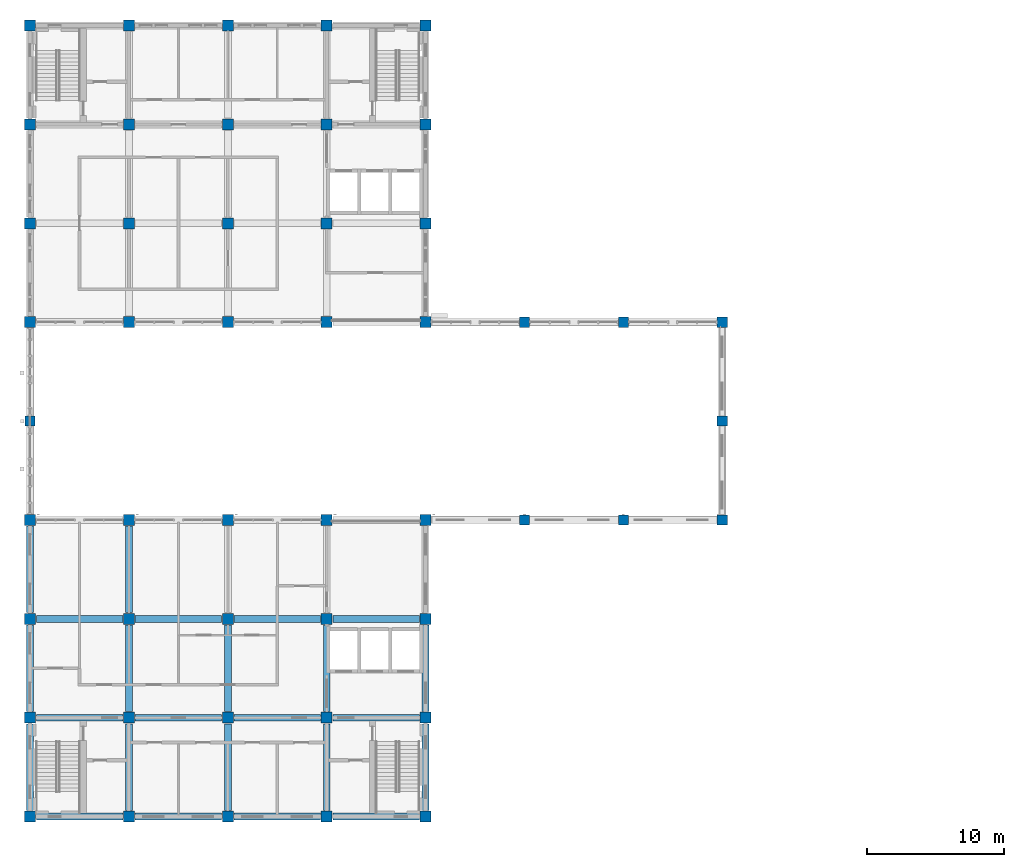
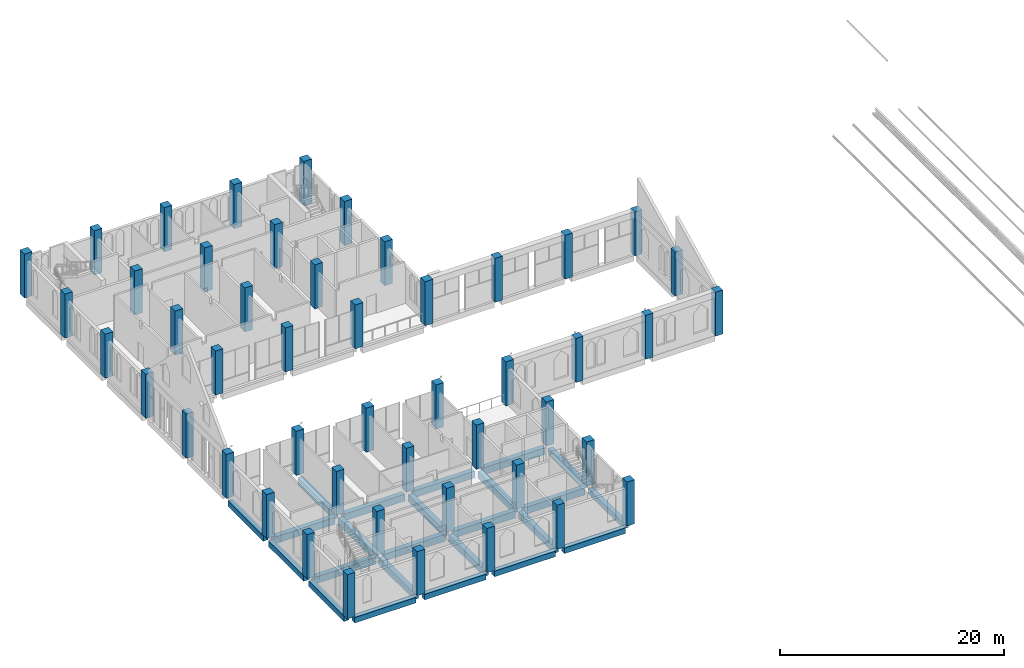
# One storey, part 1 of 31: 48 columns, 24 beams.
"""IFC4 building model written with IfcOpenShell, lengths in metres."""

from ifc_helpers import new_model, si_unit, direction, frame, origin, origin_2d, place, context, subcontext, project, spatial, rectangle, extrude, material, material_profile, profile_set, type_object, element, save


model = new_model("IFC4")

# Units and contexts
model_context = context("Model", 3, precision=1e-05, world=origin(), true_north=direction((0.0, 1.0)))
body_context = subcontext(model_context, "Body", "Model", "MODEL_VIEW")
ifc_project = project(units=[si_unit("LENGTHUNIT", "METRE"), si_unit("AREAUNIT", "SQUARE_METRE"), si_unit("VOLUMEUNIT", "CUBIC_METRE"), si_unit("PLANEANGLEUNIT", "RADIAN"), si_unit("MASSUNIT", "GRAM", prefix="KILO")], contexts=[model_context])

# Site, building, storey
site_placement = place(None, origin())
site = spatial("IfcSite", under=ifc_project, at=site_placement, CompositionType="ELEMENT")
building_placement = place(site_placement, origin())
building = spatial("IfcBuilding", under=site, at=building_placement, Name="Silangan Lancet Faculty of Sciences", CompositionType="ELEMENT")
storey_placement = place(building_placement, frame((0.0, 0.0, 36.0)))
storey = spatial("IfcBuildingStorey", under=building, at=storey_placement, Name="L07", CompositionType="ELEMENT", Elevation=36.0)

# Columns
ifc_material_1 = material(Name="Concrete C40/50", Category="concrete")
ifc_material_profile_1 = material_profile(ifc_material_1, rectangle(XDim=0.75, YDim=0.75, at=origin_2d()), Name="RC 750x750")
ifc_profile_set_1 = profile_set([ifc_material_profile_1], Name="Concrete C40/50")
column_type_1 = type_object("IfcColumnType", Name="COLUMN RC 750x750", PredefinedType="COLUMN", material=ifc_profile_set_1)
for number, where, z_axis, x_axis, name in (
    (1, (0.0, 28.800048828125, 0.0), (0.0, 0.0, 1.0), (1.0, 0.0, 0.0), "COL-L07-1E"),
    (2, (36.0, 21.60009765625, 0.0), (0.0, 0.0, 1.0), (1.0, 0.0, 0.0), "COL-L07-6D"),
    (3, (36.0, 36.0, 0.0), (0.0, 0.0, 1.0), (1.0, 0.0, 0.0), "COL-L07-6F"),
    (4, (43.199951171875, 21.60009765625, 0.0), (0.0, 0.0, 1.0), (1.0, 0.0, 0.0), "COL-L07-7D"),
    (5, (43.199951171875, 36.0, 0.0), (0.0, 0.0, 1.0), (1.0, 0.0, 0.0), "COL-L07-7F"),
    (6, (50.39990234375, 21.60009765625, 0.0), (0.0, 0.0, 1.0), (1.0, 0.0, 0.0), "COL-L07-8D"),
    (7, (50.39990234375, 28.800048828125, 0.0), (0.0, 0.0, 1.0), (1.0, 0.0, 0.0), "COL-L07-8E"),
    (8, (50.39990234375, 36.0, 0.0), (0.0, 0.0, 1.0), (1.0, 0.0, 0.0), "COL-L07-8F"),
):
    element("IfcColumn", number, at=place(storey_placement, frame(where, z_axis=z_axis, x_axis=x_axis)), inside=storey, type_object=column_type_1, Name=name, PredefinedType="COLUMN", context=body_context, shape_type="SweptSolid", body=[
        extrude(rectangle(XDim=0.75, YDim=0.75, at=origin_2d()), origin(), (0.0, 0.0, 1.0), 4.800048828125),
    ])
ifc_material_2 = material(Name="Concrete C40/50", Category="concrete")
ifc_material_profile_2 = material_profile(ifc_material_2, rectangle(XDim=0.800048828125, YDim=0.800048828125, at=origin_2d()), Name="RC 800x800")
ifc_profile_set_2 = profile_set([ifc_material_profile_2], Name="Concrete C40/50")
column_type_2 = type_object("IfcColumnType", Name="COLUMN RC 800x800", PredefinedType="COLUMN", material=ifc_profile_set_2)
for number, where, z_axis, x_axis, name in (
    (9, (0.0, 0.0, 0.0), (0.0, 0.0, 1.0), (1.0, 0.0, 0.0), "COL-L07-1A"),
    (10, (0.0, 7.199951171875, 0.0), (0.0, 0.0, 1.0), (1.0, 0.0, 0.0), "COL-L07-1B"),
    (11, (0.0, 14.39990234375, 0.0), (0.0, 0.0, 1.0), (1.0, 0.0, 0.0), "COL-L07-1C"),
    (12, (0.0, 21.60009765625, 0.0), (0.0, 0.0, 1.0), (1.0, 0.0, 0.0), "COL-L07-1D"),
    (13, (0.0, 36.0, 0.0), (0.0, 0.0, 1.0), (1.0, 0.0, 0.0), "COL-L07-1F"),
    (14, (0.0, 43.199951171875, 0.0), (0.0, 0.0, 1.0), (1.0, 0.0, 0.0), "COL-L07-1G"),
    (15, (0.0, 50.39990234375, 0.0), (0.0, 0.0, 1.0), (1.0, 0.0, 0.0), "COL-L07-1H"),
    (16, (0.0, 57.60009765625, 0.0), (0.0, 0.0, 1.0), (1.0, 0.0, 0.0), "COL-L07-1I"),
    (17, (7.199951171875, 0.0, 0.0), (0.0, 0.0, 1.0), (1.0, 0.0, 0.0), "COL-L07-2A"),
    (18, (7.199951171875, 7.199951171875, 0.0), (0.0, 0.0, 1.0), (1.0, 0.0, 0.0), "COL-L07-2B"),
    (19, (7.199951171875, 14.39990234375, 0.0), (0.0, 0.0, 1.0), (1.0, 0.0, 0.0), "COL-L07-2C"),
    (20, (7.199951171875, 21.60009765625, 0.0), (0.0, 0.0, 1.0), (1.0, 0.0, 0.0), "COL-L07-2D"),
    (21, (7.199951171875, 36.0, 0.0), (0.0, 0.0, 1.0), (1.0, 0.0, 0.0), "COL-L07-2F"),
    (22, (7.199951171875, 43.199951171875, 0.0), (0.0, 0.0, 1.0), (1.0, 0.0, 0.0), "COL-L07-2G"),
    (23, (7.199951171875, 50.39990234375, 0.0), (0.0, 0.0, 1.0), (1.0, 0.0, 0.0), "COL-L07-2H"),
    (24, (7.199951171875, 57.60009765625, 0.0), (0.0, 0.0, 1.0), (1.0, 0.0, 0.0), "COL-L07-2I"),
    (25, (14.39990234375, 0.0, 0.0), (0.0, 0.0, 1.0), (1.0, 0.0, 0.0), "COL-L07-3A"),
    (26, (14.39990234375, 7.199951171875, 0.0), (0.0, 0.0, 1.0), (1.0, 0.0, 0.0), "COL-L07-3B"),
    (27, (14.39990234375, 14.39990234375, 0.0), (0.0, 0.0, 1.0), (1.0, 0.0, 0.0), "COL-L07-3C"),
    (28, (14.39990234375, 21.60009765625, 0.0), (0.0, 0.0, 1.0), (1.0, 0.0, 0.0), "COL-L07-3D"),
    (29, (14.39990234375, 36.0, 0.0), (0.0, 0.0, 1.0), (1.0, 0.0, 0.0), "COL-L07-3F"),
    (30, (14.39990234375, 43.199951171875, 0.0), (0.0, 0.0, 1.0), (1.0, 0.0, 0.0), "COL-L07-3G"),
    (31, (14.39990234375, 50.39990234375, 0.0), (0.0, 0.0, 1.0), (1.0, 0.0, 0.0), "COL-L07-3H"),
    (32, (14.39990234375, 57.60009765625, 0.0), (0.0, 0.0, 1.0), (1.0, 0.0, 0.0), "COL-L07-3I"),
    (33, (21.60009765625, 0.0, 0.0), (0.0, 0.0, 1.0), (1.0, 0.0, 0.0), "COL-L07-4A"),
    (34, (21.60009765625, 7.199951171875, 0.0), (0.0, 0.0, 1.0), (1.0, 0.0, 0.0), "COL-L07-4B"),
    (35, (21.60009765625, 14.39990234375, 0.0), (0.0, 0.0, 1.0), (1.0, 0.0, 0.0), "COL-L07-4C"),
    (36, (21.60009765625, 21.60009765625, 0.0), (0.0, 0.0, 1.0), (1.0, 0.0, 0.0), "COL-L07-4D"),
    (37, (21.60009765625, 36.0, 0.0), (0.0, 0.0, 1.0), (1.0, 0.0, 0.0), "COL-L07-4F"),
    (38, (21.60009765625, 43.199951171875, 0.0), (0.0, 0.0, 1.0), (1.0, 0.0, 0.0), "COL-L07-4G"),
    (39, (21.60009765625, 50.39990234375, 0.0), (0.0, 0.0, 1.0), (1.0, 0.0, 0.0), "COL-L07-4H"),
    (40, (21.60009765625, 57.60009765625, 0.0), (0.0, 0.0, 1.0), (1.0, 0.0, 0.0), "COL-L07-4I"),
    (41, (28.800048828125, 0.0, 0.0), (0.0, 0.0, 1.0), (1.0, 0.0, 0.0), "COL-L07-5A"),
    (42, (28.800048828125, 7.199951171875, 0.0), (0.0, 0.0, 1.0), (1.0, 0.0, 0.0), "COL-L07-5B"),
    (43, (28.800048828125, 14.39990234375, 0.0), (0.0, 0.0, 1.0), (1.0, 0.0, 0.0), "COL-L07-5C"),
    (44, (28.800048828125, 21.60009765625, 0.0), (0.0, 0.0, 1.0), (1.0, 0.0, 0.0), "COL-L07-5D"),
    (45, (28.800048828125, 36.0, 0.0), (0.0, 0.0, 1.0), (1.0, 0.0, 0.0), "COL-L07-5F"),
    (46, (28.800048828125, 43.199951171875, 0.0), (0.0, 0.0, 1.0), (1.0, 0.0, 0.0), "COL-L07-5G"),
    (47, (28.800048828125, 50.39990234375, 0.0), (0.0, 0.0, 1.0), (1.0, 0.0, 0.0), "COL-L07-5H"),
    (48, (28.800048828125, 57.60009765625, 0.0), (0.0, 0.0, 1.0), (1.0, 0.0, 0.0), "COL-L07-5I"),
):
    element("IfcColumn", number, at=place(storey_placement, frame(where, z_axis=z_axis, x_axis=x_axis)), inside=storey, type_object=column_type_2, Name=name, PredefinedType="COLUMN", context=body_context, shape_type="SweptSolid", body=[
        extrude(rectangle(XDim=0.800048828125, YDim=0.800048828125, at=origin_2d()), origin(), (0.0, 0.0, 1.0), 4.800048828125),
    ])

# Beams
ifc_material_3 = material(Name="Concrete C40/50", Category="concrete")
ifc_material_profile_3 = material_profile(ifc_material_3, rectangle(XDim=0.5, YDim=0.60009765625, at=origin_2d()), Name="RC 500x600")
ifc_profile_set_3 = profile_set([ifc_material_profile_3], Name="Concrete C40/50")
beam_type_1 = type_object("IfcBeamType", Name="BEAM RC 500x600", PredefinedType="BEAM", material=ifc_profile_set_3)
for number, where, z_axis, x_axis, name in (
    (49, (0.449951171875, 0.0, -0.550048828125), (1.0, 0.0, 0.0), (0.0, 1.0, 0.0), "BM-L07-1A-2A"),
    (50, (7.64990234375, 0.0, -0.550048828125), (1.0, 0.0, 0.0), (0.0, 1.0, 0.0), "BM-L07-2A-3A"),
):
    element("IfcBeam", number, at=place(storey_placement, frame(where, z_axis=z_axis, x_axis=x_axis)), inside=storey, type_object=beam_type_1, Name=name, PredefinedType="BEAM", context=body_context, shape_type="SweptSolid", body=[
        extrude(rectangle(XDim=0.5, YDim=0.60009765625, at=origin_2d()), origin(), (0.0, 0.0, 1.0), 6.300048828125),
    ])
beam_1_placement = place(storey_placement, frame((14.85009765625, 0.0, -0.550048828125), z_axis=(1.0, 0.0, 0.0), x_axis=(0.0, 1.0, 0.0)))
element("IfcBeam", 51, at=beam_1_placement, inside=storey, type_object=beam_type_1, Name="BM-L07-3A-4A", PredefinedType="BEAM", context=body_context, shape_type="SweptSolid", body=[
    extrude(rectangle(XDim=0.5, YDim=0.60009765625, at=origin_2d()), origin(), (0.0, 0.0, 1.0), 6.2998046875),
])
for number, where, z_axis, x_axis, name in (
    (52, (22.050048828125, 0.0, -0.550048828125), (1.0, 0.0, 0.0), (0.0, 1.0, 0.0), "BM-L07-4A-5A"),
    (53, (0.0, 0.449951171875, -0.550048828125), (0.0, 1.0, 0.0), (-1.0, 0.0, 0.0), "BM-L07-1A-1B"),
    (54, (0.0, 7.64990234375, -0.550048828125), (0.0, 1.0, 0.0), (-1.0, 0.0, 0.0), "BM-L07-1B-1C"),
):
    element("IfcBeam", number, at=place(storey_placement, frame(where, z_axis=z_axis, x_axis=x_axis)), inside=storey, type_object=beam_type_1, Name=name, PredefinedType="BEAM", context=body_context, shape_type="SweptSolid", body=[
        extrude(rectangle(XDim=0.5, YDim=0.60009765625, at=origin_2d()), origin(), (0.0, 0.0, 1.0), 6.300048828125),
    ])
beam_2_placement = place(storey_placement, frame((0.0, 14.85009765625, -0.550048828125), z_axis=(0.0, 1.0, 0.0), x_axis=(-1.0, 0.0, 0.0)))
element("IfcBeam", 55, at=beam_2_placement, inside=storey, type_object=beam_type_1, Name="BM-L07-1C-1D", PredefinedType="BEAM", context=body_context, shape_type="SweptSolid", body=[
    extrude(rectangle(XDim=0.5, YDim=0.60009765625, at=origin_2d()), origin(), (0.0, 0.0, 1.0), 6.2998046875),
])
for number, where, z_axis, x_axis, name in (
    (56, (28.800048828125, 0.449951171875, -0.550048828125), (0.0, 1.0, 0.0), (-1.0, 0.0, 0.0), "BM-L07-5A-5B"),
    (57, (28.800048828125, 7.64990234375, -0.550048828125), (0.0, 1.0, 0.0), (-1.0, 0.0, 0.0), "BM-L07-5B-5C"),
):
    element("IfcBeam", number, at=place(storey_placement, frame(where, z_axis=z_axis, x_axis=x_axis)), inside=storey, type_object=beam_type_1, Name=name, PredefinedType="BEAM", context=body_context, shape_type="SweptSolid", body=[
        extrude(rectangle(XDim=0.5, YDim=0.60009765625, at=origin_2d()), origin(), (0.0, 0.0, 1.0), 6.300048828125),
    ])
ifc_material_4 = material(Name="Concrete C40/50", Category="concrete")
ifc_material_profile_4 = material_profile(ifc_material_4, rectangle(XDim=0.5, YDim=0.75, at=origin_2d()), Name="RC 500x750")
ifc_profile_set_4 = profile_set([ifc_material_profile_4], Name="Concrete C40/50")
beam_type_2 = type_object("IfcBeamType", Name="BEAM RC 500x750", PredefinedType="BEAM", material=ifc_profile_set_4)
for number, where, z_axis, x_axis, name in (
    (58, (0.449951171875, 7.199951171875, -0.625), (1.0, 0.0, 0.0), (0.0, 1.0, 0.0), "BM-L07-1B-2B"),
    (59, (7.64990234375, 7.199951171875, -0.625), (1.0, 0.0, 0.0), (0.0, 1.0, 0.0), "BM-L07-2B-3B"),
):
    element("IfcBeam", number, at=place(storey_placement, frame(where, z_axis=z_axis, x_axis=x_axis)), inside=storey, type_object=beam_type_2, Name=name, PredefinedType="BEAM", context=body_context, shape_type="SweptSolid", body=[
        extrude(rectangle(XDim=0.5, YDim=0.75, at=origin_2d()), origin(), (0.0, 0.0, 1.0), 6.300048828125),
    ])
beam_3_placement = place(storey_placement, frame((14.85009765625, 7.199951171875, -0.625), z_axis=(1.0, 0.0, 0.0), x_axis=(0.0, 1.0, 0.0)))
element("IfcBeam", 60, at=beam_3_placement, inside=storey, type_object=beam_type_2, Name="BM-L07-3B-4B", PredefinedType="BEAM", context=body_context, shape_type="SweptSolid", body=[
    extrude(rectangle(XDim=0.5, YDim=0.75, at=origin_2d()), origin(), (0.0, 0.0, 1.0), 6.2998046875),
])
for number, where, z_axis, x_axis, name in (
    (61, (22.050048828125, 7.199951171875, -0.625), (1.0, 0.0, 0.0), (0.0, 1.0, 0.0), "BM-L07-4B-5B"),
    (62, (0.449951171875, 14.39990234375, -0.625), (1.0, 0.0, 0.0), (0.0, 1.0, 0.0), "BM-L07-1C-2C"),
    (63, (7.64990234375, 14.39990234375, -0.625), (1.0, 0.0, 0.0), (0.0, 1.0, 0.0), "BM-L07-2C-3C"),
):
    element("IfcBeam", number, at=place(storey_placement, frame(where, z_axis=z_axis, x_axis=x_axis)), inside=storey, type_object=beam_type_2, Name=name, PredefinedType="BEAM", context=body_context, shape_type="SweptSolid", body=[
        extrude(rectangle(XDim=0.5, YDim=0.75, at=origin_2d()), origin(), (0.0, 0.0, 1.0), 6.300048828125),
    ])
beam_4_placement = place(storey_placement, frame((14.85009765625, 14.39990234375, -0.625), z_axis=(1.0, 0.0, 0.0), x_axis=(0.0, 1.0, 0.0)))
element("IfcBeam", 64, at=beam_4_placement, inside=storey, type_object=beam_type_2, Name="BM-L07-3C-4C", PredefinedType="BEAM", context=body_context, shape_type="SweptSolid", body=[
    extrude(rectangle(XDim=0.5, YDim=0.75, at=origin_2d()), origin(), (0.0, 0.0, 1.0), 6.2998046875),
])
for number, where, z_axis, x_axis, name in (
    (65, (22.050048828125, 14.39990234375, -0.625), (1.0, 0.0, 0.0), (0.0, 1.0, 0.0), "BM-L07-4C-5C"),
    (66, (7.199951171875, 0.449951171875, -0.625), (0.0, 1.0, 0.0), (-1.0, 0.0, 0.0), "BM-L07-2A-2B"),
    (67, (7.199951171875, 7.64990234375, -0.625), (0.0, 1.0, 0.0), (-1.0, 0.0, 0.0), "BM-L07-2B-2C"),
):
    element("IfcBeam", number, at=place(storey_placement, frame(where, z_axis=z_axis, x_axis=x_axis)), inside=storey, type_object=beam_type_2, Name=name, PredefinedType="BEAM", context=body_context, shape_type="SweptSolid", body=[
        extrude(rectangle(XDim=0.5, YDim=0.75, at=origin_2d()), origin(), (0.0, 0.0, 1.0), 6.300048828125),
    ])
beam_5_placement = place(storey_placement, frame((7.199951171875, 14.85009765625, -0.625), z_axis=(0.0, 1.0, 0.0), x_axis=(-1.0, 0.0, 0.0)))
element("IfcBeam", 68, at=beam_5_placement, inside=storey, type_object=beam_type_2, Name="BM-L07-2C-2D", PredefinedType="BEAM", context=body_context, shape_type="SweptSolid", body=[
    extrude(rectangle(XDim=0.5, YDim=0.75, at=origin_2d()), origin(), (0.0, 0.0, 1.0), 6.2998046875),
])
for number, where, z_axis, x_axis, name in (
    (69, (14.39990234375, 0.449951171875, -0.625), (0.0, 1.0, 0.0), (-1.0, 0.0, 0.0), "BM-L07-3A-3B"),
    (70, (14.39990234375, 7.64990234375, -0.625), (0.0, 1.0, 0.0), (-1.0, 0.0, 0.0), "BM-L07-3B-3C"),
    (71, (21.60009765625, 0.449951171875, -0.625), (0.0, 1.0, 0.0), (-1.0, 0.0, 0.0), "BM-L07-4A-4B"),
    (72, (21.60009765625, 7.64990234375, -0.625), (0.0, 1.0, 0.0), (-1.0, 0.0, 0.0), "BM-L07-4B-4C"),
):
    element("IfcBeam", number, at=place(storey_placement, frame(where, z_axis=z_axis, x_axis=x_axis)), inside=storey, type_object=beam_type_2, Name=name, PredefinedType="BEAM", context=body_context, shape_type="SweptSolid", body=[
        extrude(rectangle(XDim=0.5, YDim=0.75, at=origin_2d()), origin(), (0.0, 0.0, 1.0), 6.300048828125),
    ])

save(model, "model.ifc")
